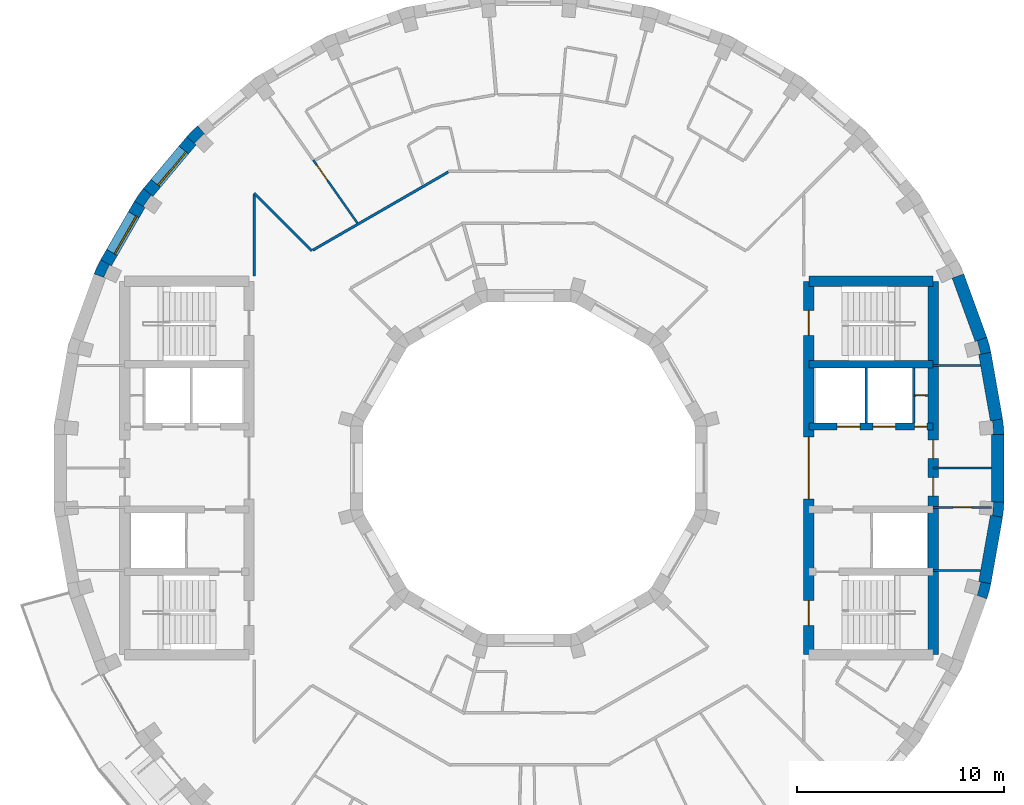
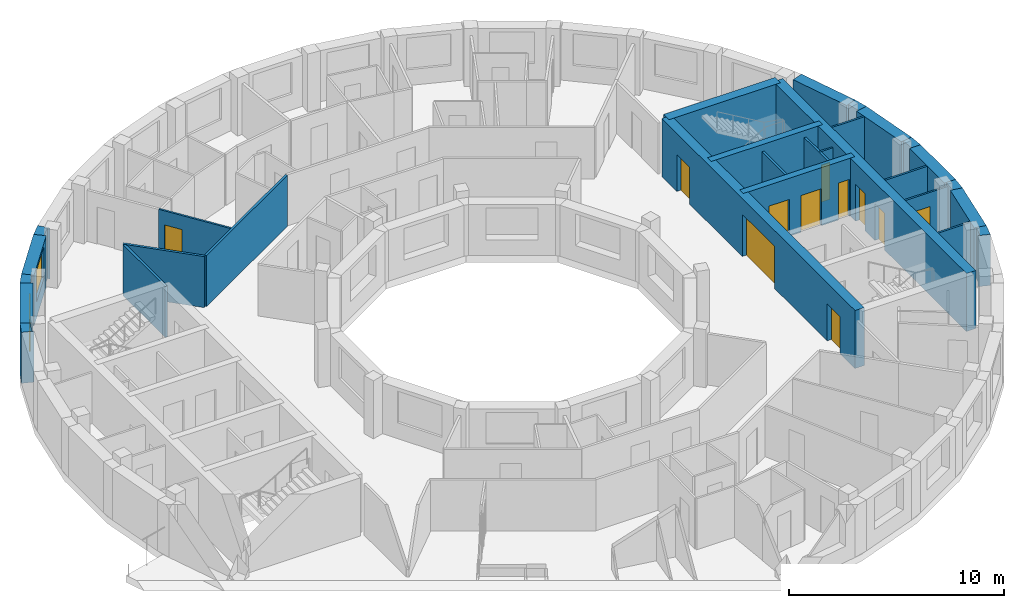
# One storey, part 8 of 12: 29 walls, 11 doors, 2 windows, 13 openings.
"""IFC4 building model written with IfcOpenShell, lengths in metres."""

from ifc_helpers import new_model, si_unit, direction, frame, frame_2d, origin, place, context, subcontext, project, spatial, polyline, rectangle, outline, extrude, material, layer, layer_set, type_object, element, fill, save


model = new_model("IFC4")

# Units and contexts
model_context = context("Model", 3, precision=1e-05, world=origin(), true_north=direction((0.0, 1.0)))
body_context = subcontext(model_context, "Body", "Model", "MODEL_VIEW")
ifc_project = project(units=[si_unit("LENGTHUNIT", "METRE"), si_unit("AREAUNIT", "SQUARE_METRE"), si_unit("VOLUMEUNIT", "CUBIC_METRE"), si_unit("PLANEANGLEUNIT", "RADIAN"), si_unit("MASSUNIT", "GRAM", prefix="KILO")], contexts=[model_context])

# Site, building, storey
site_placement = place(None, origin())
site = spatial("IfcSite", under=ifc_project, at=site_placement, CompositionType="ELEMENT")
building_placement = place(site_placement, origin())
building = spatial("IfcBuilding", under=site, at=building_placement, Name="Saqina Gate Tower", CompositionType="ELEMENT")
storey_placement = place(building_placement, frame((0.0, 0.0, 259.39990234375)))
storey = spatial("IfcBuildingStorey", under=building, at=storey_placement, Name="L74", CompositionType="ELEMENT", Elevation=259.39990234375)

# Walls
ifc_material_1 = material(Name="Brick masonry (buff)", Category="masonry")
wall_type_1 = type_object("IfcWallType", Name="BRICK PIER COPING BUFF", PredefinedType="SOLIDWALL", material=ifc_material_1)
wall_1_placement = place(storey_placement, origin())
element("IfcWall", 1, at=wall_1_placement, inside=storey, type_object=wall_type_1, Name="Pier cap L74 column 1", PredefinedType="SOLIDWALL", context=body_context, shape_type="SweptSolid", body=[
    extrude(outline(polyline([(22.91259765625, 1.625732421875), (22.8466796875, 2.377685546875), (22.255859375, 2.2734375), (22.361083984375, 2.28271484375), (22.417724609375, 1.635009765625), (22.3125, 1.625732421875), (22.91259765625, 1.625732421875)])), origin(), (0.0, 0.0, 1.0), 2.900146484375),
])
wall_2_placement = place(storey_placement, origin())
element("IfcWall", 2, at=wall_2_placement, inside=storey, type_object=wall_type_1, Name="Pier cap L74 column 2", PredefinedType="SOLIDWALL", context=body_context, shape_type="SweptSolid", body=[
    extrude(outline(polyline([(22.0869140625, 6.30859375), (21.52294921875, 6.103515625), (21.625, 6.130859375), (21.793212890625, 5.5029296875), (21.691162109375, 5.4755859375), (22.281982421875, 5.579833984375), (22.0869140625, 6.30859375)])), origin(), (0.0, 0.0, 1.0), 2.900146484375),
])
wall_3_placement = place(storey_placement, origin())
element("IfcWall", 3, at=wall_3_placement, inside=storey, type_object=wall_type_1, Name="Pier cap L74 column 14", PredefinedType="SOLIDWALL", context=body_context, shape_type="SweptSolid", body=[
    extrude(outline(polyline([(-16.5068359375, 15.973388671875), (-16.04736328125, 15.587646484375), (-16.1220703125, 15.662353515625), (-15.662353515625, 16.1220703125), (-15.587646484375, 16.04736328125), (-15.973388671875, 16.5068359375), (-16.5068359375, 15.973388671875)])), origin(), (0.0, 0.0, 1.0), 2.900146484375),
])
wall_4_placement = place(storey_placement, origin())
element("IfcWall", 4, at=wall_4_placement, inside=storey, type_object=wall_type_1, Name="Pier cap L74 column 15", PredefinedType="SOLIDWALL", context=body_context, shape_type="SweptSolid", body=[
    extrude(outline(polyline([(-19.02978515625, 12.8642578125), (-18.51025390625, 12.564208984375), (-18.596923828125, 12.625), (-18.22412109375, 13.157470703125), (-18.137451171875, 13.0966796875), (-18.59716796875, 13.482421875), (-19.02978515625, 12.8642578125)])), origin(), (0.0, 0.0, 1.0), 2.900146484375),
])
wall_5_placement = place(storey_placement, origin())
element("IfcWall", 5, at=wall_5_placement, inside=storey, type_object=wall_type_1, Name="Pier cap L74 column 16", PredefinedType="SOLIDWALL", context=body_context, shape_type="SweptSolid", body=[
    extrude(outline(polyline([(-20.65576171875, 10.048095703125), (-20.974609375, 9.3642578125), (-20.410888671875, 9.1591796875), (-20.506591796875, 9.203857421875), (-20.23193359375, 9.79296875), (-20.135986328125, 9.748291015625), (-20.65576171875, 10.048095703125)])), origin(), (0.0, 0.0, 1.0), 2.900146484375),
])
wall_6_placement = place(storey_placement, origin())
element("IfcWall", 6, at=wall_6_placement, inside=storey, type_object=wall_type_1, Name="Pier cap L74 column 35", PredefinedType="SOLIDWALL", context=body_context, shape_type="SweptSolid", body=[
    extrude(outline(polyline([(22.281982421875, -5.579833984375), (21.691162109375, -5.4755859375), (21.793212890625, -5.5029296875), (21.625, -6.130859375), (21.52294921875, -6.103515625), (22.0869140625, -6.30859375), (22.281982421875, -5.579833984375)])), origin(), (0.0, 0.0, 1.0), 2.900146484375),
])
wall_7_placement = place(storey_placement, origin())
element("IfcWall", 7, at=wall_7_placement, inside=storey, type_object=wall_type_1, Name="Pier cap L74 column 36", PredefinedType="SOLIDWALL", context=body_context, shape_type="SweptSolid", body=[
    extrude(outline(polyline([(22.8466796875, -2.377685546875), (22.91259765625, -1.625732421875), (22.3125, -1.625732421875), (22.417724609375, -1.635009765625), (22.361083984375, -2.28271484375), (22.255859375, -2.2734375), (22.8466796875, -2.377685546875)])), origin(), (0.0, 0.0, 1.0), 2.900146484375),
])

# Wall, opening, door
ifc_material_2 = material(Name="Gypsum board on steel studs", Category="steel")
ifc_layer_1 = layer(ifc_material_2, 0.10009765625)
ifc_layer_set_1 = layer_set([ifc_layer_1], Name="CORE PARTITION")
wall_type_2 = type_object("IfcWallType", Name="CORE PARTITION", PredefinedType="PARTITIONING", material=ifc_layer_set_1)
wall_8_placement = place(storey_placement, frame((18.56005859375, 3.5, 0.0), z_axis=(0.0, 0.0, 1.0), x_axis=(1.0, 0.0, 0.0)))
wall_8 = element("IfcWall", 8, at=wall_8_placement, inside=storey, type_object=wall_type_2, Name="L74-CP-E01", PredefinedType="PARTITIONING", context=body_context, shape_type="SweptSolid", body=[
    extrude(rectangle(XDim=0.68994140625, YDim=0.10009765625, at=frame_2d((0.344970703125, 0.0))), origin(), (0.0, 0.0, 1.0), 2.900146484375),
])
opening_1_placement = place(wall_8_placement, frame((0.10009765625, 0.0, 0.0)))
opening_1 = element("IfcOpeningElement", 9, at=opening_1_placement, cuts=wall_8, Name="Opening G22-D95", PredefinedType="OPENING", context=body_context, shape_type="SweptSolid", body=[
    extrude(rectangle(XDim=0.449951171875, YDim=2.10009765625, at=frame_2d((0.22509765625, 1.050048828125))), frame((0.0, 0.06201171875, 0.0), z_axis=(0.0, -1.0, 0.0), x_axis=(1.0, 0.0, 0.0)), (0.0, 0.0, 1.0), 0.1240234375),
])
ifc_material_3 = material(Name="Steel-framed fire door leaf, EI 60", Category="steel")
door_type_1 = type_object("IfcDoorType", Name="SERVICE ROOM DOOR 450", OperationType="SINGLE_SWING_LEFT", PredefinedType="DOOR", material=ifc_material_3)
door_1_placement = place(opening_1_placement, origin())
door_1 = element("IfcDoor", 10, at=door_1_placement, inside=storey, type_object=door_type_1, Name="L74-CD-E06", OperationType="SINGLE_SWING_RIGHT", OverallHeight=2.10009765625, OverallWidth=0.449951171875, PredefinedType="DOOR", context=body_context, shape_type="SweptSolid", body=[
    extrude(rectangle(XDim=0.449951171875, YDim=2.10009765625, at=frame_2d((0.22509765625, 1.050048828125))), frame((0.0, 0.02490234375, 0.0), z_axis=(0.0, -1.0, 0.0), x_axis=(1.0, 0.0, 0.0)), (0.0, 0.0, 1.0), 0.050048828125),
])
fill(opening_1, door_1)

# Walls
for number, where, z_axis, x_axis, name in (
    (11, (19.5, 4.949951171875, 0.0), (0.0, 0.0, 1.0), (1.0, 0.0, 0.0), "L74-CP-E02"),
    (12, (19.5, -4.949951171875, 0.0), (0.0, 0.0, 1.0), (1.0, 0.0, 0.0), "L74-CP-E03"),
):
    element("IfcWall", number, at=place(storey_placement, frame(where, z_axis=z_axis, x_axis=x_axis)), inside=storey, type_object=wall_type_2, Name=name, PredefinedType="PARTITIONING", context=body_context, shape_type="SweptSolid", body=[
        extrude(rectangle(XDim=2.283935546875, YDim=0.10009765625, at=frame_2d((1.14208984375, 0.0))), origin(), (0.0, 0.0, 1.0), 2.900146484375),
    ])

# Wall, opening, door
wall_9_placement = place(storey_placement, frame((19.5, -1.89990234375, 0.0), z_axis=(0.0, 0.0, 1.0), x_axis=(1.0, 0.0, 0.0)))
wall_9 = element("IfcWall", 13, at=wall_9_placement, inside=storey, type_object=wall_type_2, Name="L74-CP-E04", PredefinedType="PARTITIONING", context=body_context, shape_type="SweptSolid", body=[
    extrude(rectangle(XDim=2.8125, YDim=0.10009765625, at=frame_2d((1.40625, 0.0))), origin(), (0.0, 0.0, 1.0), 2.900146484375),
])
opening_2_placement = place(wall_9_placement, frame((0.956298828125, 0.0, 0.0)))
opening_2 = element("IfcOpeningElement", 14, at=opening_2_placement, cuts=wall_9, Name="Opening G22-D93", PredefinedType="OPENING", context=body_context, shape_type="SweptSolid", body=[
    extrude(rectangle(XDim=0.89990234375, YDim=2.10009765625, at=frame_2d((0.449951171875, 1.050048828125))), frame((0.0, 0.06201171875, 0.0), z_axis=(0.0, -1.0, 0.0), x_axis=(1.0, 0.0, 0.0)), (0.0, 0.0, 1.0), 0.1240234375),
])
ifc_material_4 = material(Name="Steel-framed fire door leaf, EI 60", Category="steel")
door_type_2 = type_object("IfcDoorType", Name="SERVICE ROOM DOOR 900", OperationType="SINGLE_SWING_LEFT", PredefinedType="DOOR", material=ifc_material_4)
door_2_placement = place(opening_2_placement, frame((0.89990234375, 0.0, 0.0), z_axis=(0.0, 0.0, 1.0), x_axis=(-1.0, 0.0, 0.0)))
door_2 = element("IfcDoor", 15, at=door_2_placement, inside=storey, type_object=door_type_2, Name="L74-CD-E04", OperationType="SINGLE_SWING_LEFT", OverallHeight=2.10009765625, OverallWidth=0.89990234375, PredefinedType="DOOR", context=body_context, shape_type="SweptSolid", body=[
    extrude(rectangle(XDim=0.89990234375, YDim=2.10009765625, at=frame_2d((0.449951171875, 1.050048828125))), frame((0.0, 0.02490234375, 0.0), z_axis=(0.0, -1.0, 0.0), x_axis=(1.0, 0.0, 0.0)), (0.0, 0.0, 1.0), 0.050048828125),
])
fill(opening_2, door_2)

# Wall
wall_10_placement = place(storey_placement, frame((19.5, 0.0, 0.0), z_axis=(0.0, 0.0, 1.0), x_axis=(1.0, 0.0, 0.0)))
element("IfcWall", 16, at=wall_10_placement, inside=storey, type_object=wall_type_2, Name="L74-CP-E05", PredefinedType="PARTITIONING", context=body_context, shape_type="SweptSolid", body=[
    extrude(rectangle(XDim=2.8125, YDim=0.10009765625, at=frame_2d((1.40625, 0.0))), origin(), (0.0, 0.0, 1.0), 2.900146484375),
])

# Wall, opening, window
ifc_material_5 = material(Name="Brick masonry (buff)", Category="masonry")
ifc_layer_2 = layer(ifc_material_5, 0.60009765625)
ifc_layer_set_2 = layer_set([ifc_layer_2], Name="FW-BRICK-BUFF")
wall_type_3 = type_object("IfcWallType", Name="FW-BRICK-BUFF", PredefinedType="SOLIDWALL", material=ifc_layer_set_2)
wall_11_placement = place(storey_placement, frame((-16.277099609375, 15.780517578125, 0.0), z_axis=(0.0, 0.0, 1.0), x_axis=(-0.64277291405, -0.766056773982, 0.0)))
wall_11 = element("IfcWall", 17, at=wall_11_placement, inside=storey, type_object=wall_type_3, Name="Facade wall L74 facet 14", PredefinedType="SOLIDWALL", context=body_context, shape_type="SweptSolid", body=[
    extrude(rectangle(XDim=3.251708984375, YDim=0.60009765625, at=frame_2d((1.6259765625, 0.0))), origin(), (0.0, 0.0, 1.0), 2.900146484375),
])
opening_3_placement = place(wall_11_placement, frame((0.57568359375, 0.0, 0.89990234375)))
opening_3 = element("IfcOpeningElement", 18, at=opening_3_placement, cuts=wall_11, Name="Opening G22-W12", PredefinedType="OPENING", context=body_context, shape_type="SweptSolid", body=[
    extrude(rectangle(XDim=2.10009765625, YDim=1.800048828125, at=frame_2d((1.050048828125, 0.89990234375))), frame((0.0, 0.31201171875, 0.0), z_axis=(0.0, -1.0, 0.0), x_axis=(1.0, 0.0, 0.0)), (0.0, 0.0, 1.0), 0.6240234375),
])
ifc_material_6 = material(Name="Aluminium glazing", Category="aluminium")
window_type = type_object("IfcWindowType", Name="WN-D", PartitioningType="SINGLE_PANEL", PredefinedType="WINDOW", material=ifc_material_6)
window_1_placement = place(opening_3_placement, origin())
window_1 = element("IfcWindow", 19, at=window_1_placement, inside=storey, type_object=window_type, Name="Window L74 facet 14", OverallHeight=1.800048828125, OverallWidth=2.10009765625, PartitioningType="SINGLE_PANEL", PredefinedType="WINDOW", context=body_context, shape_type="SweptSolid", body=[
    extrude(rectangle(XDim=2.10009765625, YDim=1.800048828125, at=frame_2d((1.050048828125, 0.89990234375))), frame((0.0, 0.179931640625, 0.0), z_axis=(0.0, -1.0, 0.0), x_axis=(1.0, 0.0, 0.0)), (0.0, 0.0, 1.0), 0.06005859375),
])
fill(opening_3, window_1)

wall_12_placement = place(storey_placement, frame((-18.77001953125, 12.71435546875, 0.0), z_axis=(0.0, 0.0, 1.0), x_axis=(-0.500014901547, -0.866016800201, 0.0)))
wall_12 = element("IfcWall", 20, at=wall_12_placement, inside=storey, type_object=wall_type_3, Name="Facade wall L74 facet 15", PredefinedType="SOLIDWALL", context=body_context, shape_type="SweptSolid", body=[
    extrude(rectangle(XDim=3.251953125, YDim=0.60009765625, at=frame_2d((1.6259765625, 0.0))), origin(), (0.0, 0.0, 1.0), 2.900146484375),
])
opening_4_placement = place(wall_12_placement, frame((0.57568359375, 0.0, 0.89990234375)))
opening_4 = element("IfcOpeningElement", 21, at=opening_4_placement, cuts=wall_12, Name="Opening G22-W13", PredefinedType="OPENING", context=body_context, shape_type="SweptSolid", body=[
    extrude(rectangle(XDim=2.10009765625, YDim=1.800048828125, at=frame_2d((1.050048828125, 0.89990234375))), frame((0.0, 0.31201171875, 0.0), z_axis=(0.0, -1.0, 0.0), x_axis=(1.0, 0.0, 0.0)), (0.0, 0.0, 1.0), 0.6240234375),
])
window_2_placement = place(opening_4_placement, origin())
window_2 = element("IfcWindow", 22, at=window_2_placement, inside=storey, type_object=window_type, Name="Window L74 facet 15", OverallHeight=1.800048828125, OverallWidth=2.10009765625, PartitioningType="SINGLE_PANEL", PredefinedType="WINDOW", context=body_context, shape_type="SweptSolid", body=[
    extrude(rectangle(XDim=2.10009765625, YDim=1.800048828125, at=frame_2d((1.050048828125, 0.89990234375))), frame((0.0, 0.179931640625, 0.0), z_axis=(0.0, -1.0, 0.0), x_axis=(1.0, 0.0, 0.0)), (0.0, 0.0, 1.0), 0.06005859375),
])
fill(opening_4, window_2)

# Walls
ifc_material_7 = material(Name="Glazed ceramic tile", Category="ceramic")
ifc_layer_3 = layer(ifc_material_7, 0.60009765625)
ifc_layer_set_3 = layer_set([ifc_layer_3], Name="FW-TILE")
wall_type_4 = type_object("IfcWallType", Name="FW-TILE", PredefinedType="SOLIDWALL", material=ifc_layer_set_3)
for number, where, z_axis, x_axis, name in (
    (23, (22.55126953125, 2.325439453125, 0.0), (0.0, 0.0, 1.0), (-0.173656842178, 0.984806225186, 0.0), "Facade wall L74 facet 1"),
    (24, (21.986572265625, -5.52783203125, 0.0), (0.0, 0.0, 1.0), (0.173656842178, 0.984806225186, 0.0), "Facade wall L74 facet 35"),
):
    element("IfcWall", number, at=place(storey_placement, frame(where, z_axis=z_axis, x_axis=x_axis)), inside=storey, type_object=wall_type_4, Name=name, PredefinedType="SOLIDWALL", context=body_context, shape_type="SweptSolid", body=[
        extrude(rectangle(XDim=3.251708984375, YDim=0.60009765625, at=frame_2d((1.6259765625, 0.0))), origin(), (0.0, 0.0, 1.0), 2.900146484375),
    ])
ifc_material_8 = material(Name="Glazed ceramic tile (dark blue)", Category="ceramic")
ifc_layer_4 = layer(ifc_material_8, 0.60009765625)
ifc_layer_set_4 = layer_set([ifc_layer_4], Name="FW-TILE-CB")
wall_type_5 = type_object("IfcWallType", Name="FW-TILE-CB", PredefinedType="SOLIDWALL", material=ifc_layer_set_4)
wall_13_placement = place(storey_placement, frame((22.612548828125, -1.625732421875, 0.0), z_axis=(0.0, 0.0, 1.0), x_axis=(0.0, 1.0, 0.0)))
element("IfcWall", 25, at=wall_13_placement, inside=storey, type_object=wall_type_5, Name="Facade wall L74 facet 36", PredefinedType="SOLIDWALL", context=body_context, shape_type="SweptSolid", body=[
    extrude(rectangle(XDim=3.25146484375, YDim=0.60009765625, at=frame_2d((1.625732421875, 0.0))), origin(), (0.0, 0.0, 1.0), 2.900146484375),
])
ifc_material_9 = material(Name="Glazed ceramic tile (white)", Category="ceramic")
ifc_layer_5 = layer(ifc_material_9, 0.60009765625)
ifc_layer_set_5 = layer_set([ifc_layer_5], Name="FW-TILE-WH")
wall_type_6 = type_object("IfcWallType", Name="FW-TILE-WH", PredefinedType="SOLIDWALL", material=ifc_layer_set_5)
wall_14_placement = place(storey_placement, frame((21.804931640625, 6.2060546875, 0.0), z_axis=(0.0, 0.0, 1.0), x_axis=(-0.342056509473, 0.939679383794, 0.0)))
element("IfcWall", 26, at=wall_14_placement, inside=storey, type_object=wall_type_6, Name="Facade wall L74 facet 2", PredefinedType="SOLIDWALL", context=body_context, shape_type="SweptSolid", body=[
    extrude(rectangle(XDim=3.251708984375, YDim=0.60009765625, at=frame_2d((1.6259765625, 0.0))), origin(), (0.0, 0.0, 1.0), 2.900146484375),
])

# Wall, opening, door
ifc_material_10 = material(Name="Gypsum board on steel studs, 100 mm", Category="steel")
ifc_layer_6 = layer(ifc_material_10, 0.10009765625)
ifc_layer_set_6 = layer_set([ifc_layer_6], Name="PARTITION 100")
wall_type_7 = type_object("IfcWallType", Name="PARTITION 100", PredefinedType="PARTITIONING", material=ifc_layer_set_6)
wall_15_placement = place(storey_placement, frame((-10.399169921875, 14.85205078125, 0.0), z_axis=(0.0, 0.0, 1.0), x_axis=(0.573661423556, -0.819092529037, 0.0)))
wall_15 = element("IfcWall", 27, at=wall_15_placement, inside=storey, type_object=wall_type_7, Name="PARTITION PW3-13", PredefinedType="PARTITIONING", context=body_context, shape_type="SweptSolid", body=[
    extrude(rectangle(XDim=3.703369140625, YDim=0.10009765625, at=frame_2d((1.8515625, 0.0))), origin(), (0.0, 0.0, 1.0), 2.900146484375),
])
opening_5_placement = place(wall_15_placement, frame((0.29931640625, 0.0, 0.0)))
opening_5 = element("IfcOpeningElement", 28, at=opening_5_placement, cuts=wall_15, Name="Opening G22-D22", PredefinedType="OPENING", context=body_context, shape_type="SweptSolid", body=[
    extrude(rectangle(XDim=0.89990234375, YDim=2.10009765625, at=frame_2d((0.449951171875, 1.050048828125))), frame((0.0, 0.06201171875, 0.0), z_axis=(0.0, -1.0, 0.0), x_axis=(1.0, 0.0, 0.0)), (0.0, 0.0, 1.0), 0.1240234375),
])
ifc_material_11 = material(Name="Timber door leaf, 900 mm", Category="wood")
door_type_3 = type_object("IfcDoorType", Name="DOOR 900 TIMBER", OperationType="SINGLE_SWING_LEFT", PredefinedType="DOOR", material=ifc_material_11)
door_3_placement = place(opening_5_placement, frame((0.89990234375, 0.0, 0.0), z_axis=(0.0, 0.0, 1.0), x_axis=(-1.0, 0.0, 0.0)))
door_3 = element("IfcDoor", 29, at=door_3_placement, inside=storey, type_object=door_type_3, Name="DOOR G22-D22", OperationType="SINGLE_SWING_RIGHT", OverallHeight=2.10009765625, OverallWidth=0.89990234375, PredefinedType="DOOR", context=body_context, shape_type="SweptSolid", body=[
    extrude(rectangle(XDim=0.89990234375, YDim=2.10009765625, at=frame_2d((0.449951171875, 1.050048828125))), frame((0.0, 0.02490234375, 0.0), z_axis=(0.0, -1.0, 0.0), x_axis=(1.0, 0.0, 0.0)), (0.0, 0.0, 1.0), 0.050048828125),
])
fill(opening_5, door_3)

# Walls
ifc_material_12 = material(Name="Gypsum board on steel studs, 125 mm, fire rated", Category="steel")
ifc_layer_7 = layer(ifc_material_12, 0.125)
ifc_layer_set_7 = layer_set([ifc_layer_7], Name="PARTITION EI 30 125")
wall_type_8 = type_object("IfcWallType", Name="PARTITION EI 30 125", PredefinedType="PARTITIONING", material=ifc_layer_set_7)
wall_16_placement = place(storey_placement, frame((-13.25, 13.25, 0.0), z_axis=(0.0, 0.0, 1.0), x_axis=(0.707106781187, -0.707106781187, 0.0)))
element("IfcWall", 30, at=wall_16_placement, inside=storey, type_object=wall_type_8, Name="PARTITION PW1-04", PredefinedType="PARTITIONING", context=body_context, shape_type="SweptSolid", body=[
    extrude(rectangle(XDim=3.9228515625, YDim=0.125, at=frame_2d((1.96142578125, 0.0))), origin(), (0.0, 0.0, 1.0), 2.900146484375),
])
wall_17_placement = place(storey_placement, frame((-10.421875, 10.50732421875, 0.0), z_axis=(0.0, 0.0, 1.0), x_axis=(0.866068111199, 0.499926021291, 0.0)))
element("IfcWall", 31, at=wall_17_placement, inside=storey, type_object=wall_type_8, Name="PARTITION PW1-28", PredefinedType="PARTITIONING", context=body_context, shape_type="SweptSolid", body=[
    extrude(rectangle(XDim=7.544189453125, YDim=0.125, at=frame_2d((3.77197265625, 0.0))), origin(), (0.0, 0.0, 1.0), 2.900146484375),
])
wall_18_placement = place(storey_placement, frame((-13.25, 9.25, 0.0), z_axis=(0.0, 0.0, 1.0), x_axis=(0.0, 1.0, 0.0)))
element("IfcWall", 32, at=wall_18_placement, inside=storey, type_object=wall_type_8, Name="PARTITION PW1-45", PredefinedType="PARTITIONING", context=body_context, shape_type="SweptSolid", body=[
    extrude(rectangle(XDim=3.9375, YDim=0.125, at=frame_2d((1.96875, 0.0))), origin(), (0.0, 0.0, 1.0), 2.900146484375),
])
ifc_material_13 = material(Name="Autoclaved aerated concrete block", Category="concrete")
ifc_layer_8 = layer(ifc_material_13, 0.1201171875)
ifc_layer_set_8 = layer_set([ifc_layer_8], Name="SHAFT PARTITION")
wall_type_9 = type_object("IfcWallType", Name="SHAFT PARTITION", PredefinedType="PARTITIONING", material=ifc_layer_set_8)
for number, where, z_axis, x_axis, name in (
    (33, (16.280029296875, 2.175048828125, 0.0), (0.0, 0.0, 1.0), (0.0, 1.0, 0.0), "L74-CP-E06"),
    (34, (18.56005859375, 2.175048828125, 0.0), (0.0, 0.0, 1.0), (0.0, 1.0, 0.0), "L74-CP-E07"),
):
    element("IfcWall", number, at=place(storey_placement, frame(where, z_axis=z_axis, x_axis=x_axis)), inside=storey, type_object=wall_type_9, Name=name, PredefinedType="PARTITIONING", context=body_context, shape_type="SweptSolid", body=[
        extrude(rectangle(XDim=2.64990234375, YDim=0.1201171875, at=frame_2d((1.324951171875, 0.0))), origin(), (0.0, 0.0, 1.0), 2.900146484375),
    ])
ifc_material_14 = material(Name="Concrete C60/75", Category="concrete")
ifc_layer_9 = layer(ifc_material_14, 0.35009765625)
ifc_layer_set_9 = layer_set([ifc_layer_9], Name="Concrete C60/75")
wall_type_10 = type_object("IfcWallType", Name="STR-CORE WALL-D-I", PredefinedType="SHEAR", material=ifc_layer_set_9)
wall_19_placement = place(storey_placement, frame((13.5, 5.0, 0.0), z_axis=(0.0, 0.0, 1.0), x_axis=(1.0, 0.0, 0.0)))
element("IfcWall", 35, at=wall_19_placement, inside=storey, type_object=wall_type_10, Name="CORE WALL L74 E-X1", PredefinedType="SHEAR", context=body_context, shape_type="SweptSolid", body=[
    extrude(rectangle(XDim=6.0, YDim=0.35009765625, at=frame_2d((3.0, 0.0))), origin(), (0.0, 0.0, 1.0), 3.300048828125),
])

# Wall, openings, doors
wall_20_placement = place(storey_placement, frame((13.5, 2.0, 0.0), z_axis=(0.0, 0.0, 1.0), x_axis=(1.0, 0.0, 0.0)))
wall_20 = element("IfcWall", 36, at=wall_20_placement, inside=storey, type_object=wall_type_10, Name="CORE WALL L74 E-L1", PredefinedType="SHEAR", context=body_context, shape_type="SweptSolid", body=[
    extrude(rectangle(XDim=6.0, YDim=0.35009765625, at=frame_2d((3.0, 0.0))), origin(), (0.0, 0.0, 1.0), 3.300048828125),
])
opening_6_placement = place(wall_20_placement, frame((1.3701171875, 0.0, 0.0)))
opening_6 = element("IfcOpeningElement", 37, at=opening_6_placement, cuts=wall_20, Name="Opening G22-LD1", PredefinedType="OPENING", context=body_context, shape_type="SweptSolid", body=[
    extrude(rectangle(XDim=1.10009765625, YDim=2.10009765625, at=frame_2d((0.550048828125, 1.050048828125))), frame((0.0, 0.18701171875, 0.0), z_axis=(0.0, -1.0, 0.0), x_axis=(1.0, 0.0, 0.0)), (0.0, 0.0, 1.0), 0.3740234375),
])
opening_7_placement = place(wall_20_placement, frame((3.090087890625, 0.0, 0.0)))
opening_7 = element("IfcOpeningElement", 38, at=opening_7_placement, cuts=wall_20, Name="Opening G22-LD2", PredefinedType="OPENING", context=body_context, shape_type="SweptSolid", body=[
    extrude(rectangle(XDim=1.10009765625, YDim=2.10009765625, at=frame_2d((0.550048828125, 1.050048828125))), frame((0.0, 0.18701171875, 0.0), z_axis=(0.0, -1.0, 0.0), x_axis=(1.0, 0.0, 0.0)), (0.0, 0.0, 1.0), 0.3740234375),
])
opening_8_placement = place(wall_20_placement, frame((5.10498046875, 0.0, 0.0)))
opening_8 = element("IfcOpeningElement", 39, at=opening_8_placement, cuts=wall_20, Name="Opening G22-D90", PredefinedType="OPENING", context=body_context, shape_type="SweptSolid", body=[
    extrude(rectangle(XDim=0.60009765625, YDim=2.10009765625, at=frame_2d((0.300048828125, 1.050048828125))), frame((0.0, 0.18701171875, 0.0), z_axis=(0.0, -1.0, 0.0), x_axis=(1.0, 0.0, 0.0)), (0.0, 0.0, 1.0), 0.3740234375),
])
ifc_material_15 = material(Name="Stainless steel", Category="steel")
door_type_4 = type_object("IfcDoorType", Name="LANDING DOOR", OperationType="DOUBLE_DOOR_SLIDING", PredefinedType="DOOR", material=ifc_material_15)
door_4_placement = place(opening_6_placement, origin())
door_4 = element("IfcDoor", 40, at=door_4_placement, inside=storey, type_object=door_type_4, Name="LANDING DOOR HR1", OperationType="DOUBLE_DOOR_SLIDING", OverallHeight=2.10009765625, OverallWidth=1.10009765625, PredefinedType="DOOR", context=body_context, shape_type="SweptSolid", body=[
    extrude(rectangle(XDim=1.10009765625, YDim=2.10009765625, at=frame_2d((0.550048828125, 1.050048828125))), frame((0.0, 0.02490234375, 0.0), z_axis=(0.0, -1.0, 0.0), x_axis=(1.0, 0.0, 0.0)), (0.0, 0.0, 1.0), 0.050048828125),
])
fill(opening_6, door_4)
door_5_placement = place(opening_7_placement, origin())
door_5 = element("IfcDoor", 41, at=door_5_placement, inside=storey, type_object=door_type_4, Name="LANDING DOOR HR2", OperationType="DOUBLE_DOOR_SLIDING", OverallHeight=2.10009765625, OverallWidth=1.10009765625, PredefinedType="DOOR", context=body_context, shape_type="SweptSolid", body=[
    extrude(rectangle(XDim=1.10009765625, YDim=2.10009765625, at=frame_2d((0.550048828125, 1.050048828125))), frame((0.0, 0.02490234375, 0.0), z_axis=(0.0, -1.0, 0.0), x_axis=(1.0, 0.0, 0.0)), (0.0, 0.0, 1.0), 0.050048828125),
])
fill(opening_7, door_5)
ifc_material_16 = material(Name="Steel-framed fire door leaf, EI 60", Category="steel")
door_type_5 = type_object("IfcDoorType", Name="SERVICE ROOM DOOR 600", OperationType="SINGLE_SWING_LEFT", PredefinedType="DOOR", material=ifc_material_16)
door_6_placement = place(opening_8_placement, origin())
door_6 = element("IfcDoor", 42, at=door_6_placement, inside=storey, type_object=door_type_5, Name="L74-CD-E01", OperationType="SINGLE_SWING_RIGHT", OverallHeight=2.10009765625, OverallWidth=0.60009765625, PredefinedType="DOOR", context=body_context, shape_type="SweptSolid", body=[
    extrude(rectangle(XDim=0.60009765625, YDim=2.10009765625, at=frame_2d((0.300048828125, 1.050048828125))), frame((0.0, 0.02490234375, 0.0), z_axis=(0.0, -1.0, 0.0), x_axis=(1.0, 0.0, 0.0)), (0.0, 0.0, 1.0), 0.050048828125),
])
fill(opening_8, door_6)

ifc_material_17 = material(Name="Concrete C60/75", Category="concrete")
ifc_layer_10 = layer(ifc_material_17, 0.5)
ifc_layer_set_10 = layer_set([ifc_layer_10], Name="Concrete C60/75")
wall_type_11 = type_object("IfcWallType", Name="STR-CORE WALL-D-O", PredefinedType="SHEAR", material=ifc_layer_set_10)
wall_21_placement = place(storey_placement, frame((13.5, -9.0, 0.0), z_axis=(0.0, 0.0, 1.0), x_axis=(0.0, 1.0, 0.0)))
wall_21 = element("IfcWall", 43, at=wall_21_placement, inside=storey, type_object=wall_type_11, Name="CORE WALL L74 E-W1", PredefinedType="SHEAR", context=body_context, shape_type="SweptSolid", body=[
    extrude(rectangle(XDim=18.0, YDim=0.5, at=frame_2d((9.0, 0.0))), origin(), (0.0, 0.0, 1.0), 3.300048828125),
])
opening_9_placement = place(wall_21_placement, frame((15.39990234375, 0.0, 0.0)))
opening_9 = element("IfcOpeningElement", 44, at=opening_9_placement, cuts=wall_21, Name="Opening G22-D97", PredefinedType="OPENING", context=body_context, shape_type="SweptSolid", body=[
    extrude(rectangle(XDim=1.199951171875, YDim=2.10009765625, at=frame_2d((0.60009765625, 1.050048828125))), frame((0.0, 0.261962890625, 0.0), z_axis=(0.0, -1.0, 0.0), x_axis=(1.0, 0.0, 0.0)), (0.0, 0.0, 1.0), 0.52392578125),
])
opening_10_placement = place(wall_21_placement, frame((1.39990234375, 0.0, 0.0)))
opening_10 = element("IfcOpeningElement", 45, at=opening_10_placement, cuts=wall_21, Name="Opening G22-D98", PredefinedType="OPENING", context=body_context, shape_type="SweptSolid", body=[
    extrude(rectangle(XDim=1.199951171875, YDim=2.10009765625, at=frame_2d((0.60009765625, 1.050048828125))), frame((0.0, 0.261962890625, 0.0), z_axis=(0.0, -1.0, 0.0), x_axis=(1.0, 0.0, 0.0)), (0.0, 0.0, 1.0), 0.52392578125),
])
opening_11_placement = place(wall_21_placement, frame((7.5, 0.0, 0.0)))
opening_11 = element("IfcOpeningElement", 46, at=opening_11_placement, cuts=wall_21, Name="Opening G22-D99", PredefinedType="OPENING", context=body_context, shape_type="SweptSolid", body=[
    extrude(rectangle(XDim=3.0, YDim=2.39990234375, at=frame_2d((1.5, 1.199951171875))), frame((0.0, 0.261962890625, 0.0), z_axis=(0.0, -1.0, 0.0), x_axis=(1.0, 0.0, 0.0)), (0.0, 0.0, 1.0), 0.52392578125),
])
ifc_material_18 = material(Name="Steel", Category="steel")
door_type_6 = type_object("IfcDoorType", Name="FIRE DOOR EI 60", OperationType="SINGLE_SWING_LEFT", PredefinedType="DOOR", material=ifc_material_18)
door_7_placement = place(opening_9_placement, frame((1.199951171875, 0.0, 0.0), z_axis=(0.0, 0.0, 1.0), x_axis=(-1.0, 0.0, 0.0)))
door_7 = element("IfcDoor", 47, at=door_7_placement, inside=storey, type_object=door_type_6, Name="L74-CD-E08", OperationType="SINGLE_SWING_LEFT", OverallHeight=2.10009765625, OverallWidth=1.199951171875, PredefinedType="DOOR", context=body_context, shape_type="SweptSolid", body=[
    extrude(rectangle(XDim=1.199951171875, YDim=2.10009765625, at=frame_2d((0.60009765625, 1.050048828125))), frame((0.0, 0.02490234375, 0.0), z_axis=(0.0, -1.0, 0.0), x_axis=(1.0, 0.0, 0.0)), (0.0, 0.0, 1.0), 0.050048828125),
])
fill(opening_9, door_7)
door_8_placement = place(opening_10_placement, frame((1.199951171875, 0.0, 0.0), z_axis=(0.0, 0.0, 1.0), x_axis=(-1.0, 0.0, 0.0)))
door_8 = element("IfcDoor", 48, at=door_8_placement, inside=storey, type_object=door_type_6, Name="L74-CD-E09", OperationType="SINGLE_SWING_RIGHT", OverallHeight=2.10009765625, OverallWidth=1.199951171875, PredefinedType="DOOR", context=body_context, shape_type="SweptSolid", body=[
    extrude(rectangle(XDim=1.199951171875, YDim=2.10009765625, at=frame_2d((0.60009765625, 1.050048828125))), frame((0.0, 0.02490234375, 0.0), z_axis=(0.0, -1.0, 0.0), x_axis=(1.0, 0.0, 0.0)), (0.0, 0.0, 1.0), 0.050048828125),
])
fill(opening_10, door_8)
ifc_material_19 = material(Name="Steel and fire-resisting glass", Category="steel")
door_type_7 = type_object("IfcDoorType", Name="LOBBY SCREEN DOOR", OperationType="DOUBLE_DOOR_SLIDING", PredefinedType="DOOR", material=ifc_material_19)
door_9_placement = place(opening_11_placement, origin())
door_9 = element("IfcDoor", 49, at=door_9_placement, inside=storey, type_object=door_type_7, Name="L74-CD-E10", OperationType="DOUBLE_DOOR_SLIDING", OverallHeight=2.39990234375, OverallWidth=3.0, PredefinedType="DOOR", context=body_context, shape_type="SweptSolid", body=[
    extrude(rectangle(XDim=3.0, YDim=2.39990234375, at=frame_2d((1.5, 1.199951171875))), frame((0.0, 0.02490234375, 0.0), z_axis=(0.0, -1.0, 0.0), x_axis=(1.0, 0.0, 0.0)), (0.0, 0.0, 1.0), 0.050048828125),
])
fill(opening_11, door_9)

wall_22_placement = place(storey_placement, frame((19.5, -9.0, 0.0), z_axis=(0.0, 0.0, 1.0), x_axis=(0.0, 1.0, 0.0)))
wall_22 = element("IfcWall", 50, at=wall_22_placement, inside=storey, type_object=wall_type_11, Name="CORE WALL L74 E-W2", PredefinedType="SHEAR", context=body_context, shape_type="SweptSolid", body=[
    extrude(rectangle(XDim=18.0, YDim=0.5, at=frame_2d((9.0, 0.0))), origin(), (0.0, 0.0, 1.0), 3.300048828125),
])
opening_12_placement = place(wall_22_placement, frame((9.449951171875, 0.0, 0.0)))
opening_12 = element("IfcOpeningElement", 51, at=opening_12_placement, cuts=wall_22, Name="Opening G22-D92", PredefinedType="OPENING", context=body_context, shape_type="SweptSolid", body=[
    extrude(rectangle(XDim=0.89990234375, YDim=2.10009765625, at=frame_2d((0.449951171875, 1.050048828125))), frame((0.0, 0.261962890625, 0.0), z_axis=(0.0, -1.0, 0.0), x_axis=(1.0, 0.0, 0.0)), (0.0, 0.0, 1.0), 0.52392578125),
])
opening_13_placement = place(wall_22_placement, frame((7.64990234375, 0.0, 0.0)))
opening_13 = element("IfcOpeningElement", 52, at=opening_13_placement, cuts=wall_22, Name="Opening G22-D94", PredefinedType="OPENING", context=body_context, shape_type="SweptSolid", body=[
    extrude(rectangle(XDim=0.89990234375, YDim=2.10009765625, at=frame_2d((0.449951171875, 1.050048828125))), frame((0.0, 0.261962890625, 0.0), z_axis=(0.0, -1.0, 0.0), x_axis=(1.0, 0.0, 0.0)), (0.0, 0.0, 1.0), 0.52392578125),
])
door_10_placement = place(opening_12_placement, frame((0.89990234375, 0.0, 0.0), z_axis=(0.0, 0.0, 1.0), x_axis=(-1.0, 0.0, 0.0)))
door_10 = element("IfcDoor", 53, at=door_10_placement, inside=storey, type_object=door_type_2, Name="L74-CD-E03", OperationType="SINGLE_SWING_RIGHT", OverallHeight=2.10009765625, OverallWidth=0.89990234375, PredefinedType="DOOR", context=body_context, shape_type="SweptSolid", body=[
    extrude(rectangle(XDim=0.89990234375, YDim=2.10009765625, at=frame_2d((0.449951171875, 1.050048828125))), frame((0.0, 0.02490234375, 0.0), z_axis=(0.0, -1.0, 0.0), x_axis=(1.0, 0.0, 0.0)), (0.0, 0.0, 1.0), 0.050048828125),
])
fill(opening_12, door_10)
door_11_placement = place(opening_13_placement, frame((0.89990234375, 0.0, 0.0), z_axis=(0.0, 0.0, 1.0), x_axis=(-1.0, 0.0, 0.0)))
door_11 = element("IfcDoor", 54, at=door_11_placement, inside=storey, type_object=door_type_2, Name="L74-CD-E05", OperationType="SINGLE_SWING_RIGHT", OverallHeight=2.10009765625, OverallWidth=0.89990234375, PredefinedType="DOOR", context=body_context, shape_type="SweptSolid", body=[
    extrude(rectangle(XDim=0.89990234375, YDim=2.10009765625, at=frame_2d((0.449951171875, 1.050048828125))), frame((0.0, 0.02490234375, 0.0), z_axis=(0.0, -1.0, 0.0), x_axis=(1.0, 0.0, 0.0)), (0.0, 0.0, 1.0), 0.050048828125),
])
fill(opening_13, door_11)

# Wall
wall_23_placement = place(storey_placement, frame((13.5, 9.0, 0.0), z_axis=(0.0, 0.0, 1.0), x_axis=(1.0, 0.0, 0.0)))
element("IfcWall", 55, at=wall_23_placement, inside=storey, type_object=wall_type_11, Name="CORE WALL L74 E-NE", PredefinedType="SHEAR", context=body_context, shape_type="SweptSolid", body=[
    extrude(rectangle(XDim=6.0, YDim=0.5, at=frame_2d((3.0, 0.0))), origin(), (0.0, 0.0, 1.0), 3.300048828125),
])

save(model, "model.ifc")
